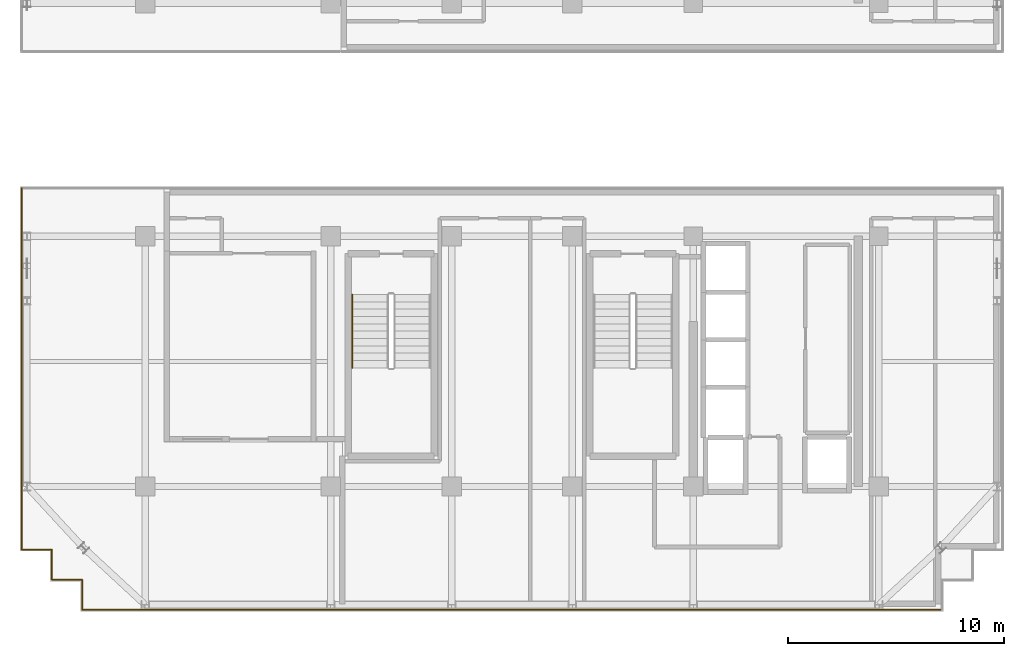
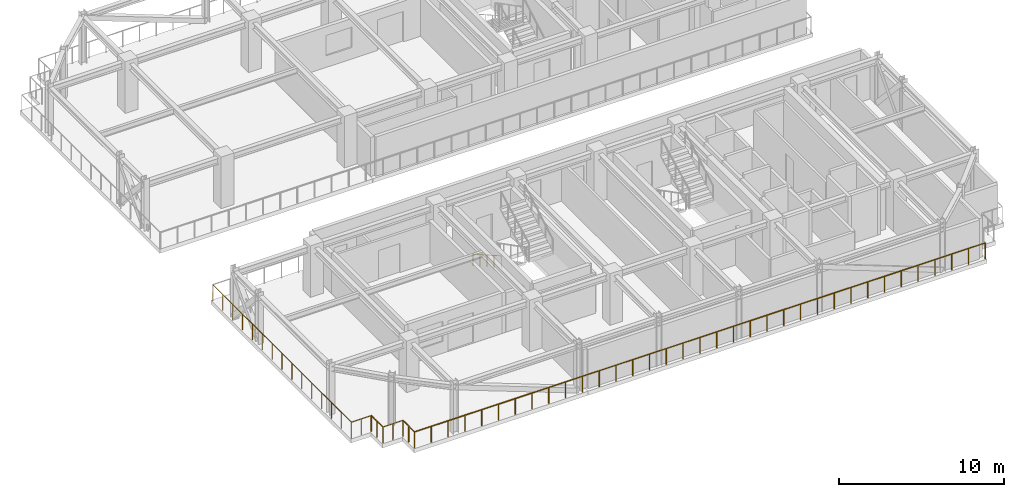
# One storey, part 9 of 14: 7 railings.
"""IFC4 building model written with IfcOpenShell, lengths in metres."""

from ifc_helpers import new_model, si_unit, direction, frame, origin, origin_2d, place, context, subcontext, project, spatial, circle, extrude, material, type_object, element, save


model = new_model("IFC4")

# Units and contexts
model_context = context("Model", 3, precision=1e-05, world=origin(), true_north=direction((0.0, 1.0)))
body_context = subcontext(model_context, "Body", "Model", "MODEL_VIEW")
ifc_project = project(units=[si_unit("LENGTHUNIT", "METRE"), si_unit("AREAUNIT", "SQUARE_METRE"), si_unit("VOLUMEUNIT", "CUBIC_METRE"), si_unit("PLANEANGLEUNIT", "RADIAN"), si_unit("MASSUNIT", "GRAM", prefix="KILO")], contexts=[model_context])

# Site, building, storey
site_placement = place(None, origin())
site = spatial("IfcSite", under=ifc_project, at=site_placement, CompositionType="ELEMENT")
building_placement = place(site_placement, origin())
building = spatial("IfcBuilding", under=site, at=building_placement, Name="Nahalor Promenade Grand Hotel", CompositionType="ELEMENT")
storey_placement = place(building_placement, frame((0.0, 0.0, 296.5)))
storey = spatial("IfcBuildingStorey", under=building, at=storey_placement, Name="L76", CompositionType="ELEMENT", Elevation=296.5)

# Railings
ifc_material_1 = material(Name="Anodised Bronze Aluminium EN AW-6063 T6", Category="aluminium")
railing_type_1 = type_object("IfcRailingType", Name="Bronze Balcony Guardrail 1200 mm", PredefinedType="GUARDRAIL", material=ifc_material_1)
railing_1_placement = place(storey_placement, frame((-19.919921875, -22.719970703125, 0.0)))
element("IfcRailing", 1, at=railing_1_placement, inside=storey, type_object=railing_type_1, Name="L76 Edge Guardrail RL-L76-WP-S-1", PredefinedType="GUARDRAIL", context=body_context, shape_type="SweptSolid", body=[
    extrude(circle(Radius=0.024048, at=origin_2d()), frame((0.0, 0.0, 1.17578125), z_axis=(1.0, 0.0, 0.0), x_axis=(0.0, 1.0, 0.0)), (0.0, 0.0, 1.0), 39.83984375),
    extrude(circle(Radius=0.020996, at=origin_2d()), origin(), (0.0, 0.0, 1.0), 1.14990234375),
    extrude(circle(Radius=0.020996, at=origin_2d()), frame((1.171875, 0.0, 0.0)), (0.0, 0.0, 1.0), 1.14990234375),
    extrude(circle(Radius=0.020996, at=origin_2d()), frame((2.343505859375, 0.0, 0.0)), (0.0, 0.0, 1.0), 1.14990234375),
    extrude(circle(Radius=0.020996, at=origin_2d()), frame((3.515380859375, 0.0, 0.0)), (0.0, 0.0, 1.0), 1.14990234375),
    extrude(circle(Radius=0.020996, at=origin_2d()), frame((4.68701171875, 0.0, 0.0)), (0.0, 0.0, 1.0), 1.14990234375),
    extrude(circle(Radius=0.020996, at=origin_2d()), frame((5.85888671875, 0.0, 0.0)), (0.0, 0.0, 1.0), 1.14990234375),
    extrude(circle(Radius=0.020996, at=origin_2d()), frame((7.030517578125, 0.0, 0.0)), (0.0, 0.0, 1.0), 1.14990234375),
    extrude(circle(Radius=0.020996, at=origin_2d()), frame((8.202392578125, 0.0, 0.0)), (0.0, 0.0, 1.0), 1.14990234375),
    extrude(circle(Radius=0.020996, at=origin_2d()), frame((9.3740234375, 0.0, 0.0)), (0.0, 0.0, 1.0), 1.14990234375),
    extrude(circle(Radius=0.020996, at=origin_2d()), frame((10.5458984375, 0.0, 0.0)), (0.0, 0.0, 1.0), 1.14990234375),
    extrude(circle(Radius=0.020996, at=origin_2d()), frame((11.717529296875, 0.0, 0.0)), (0.0, 0.0, 1.0), 1.14990234375),
    extrude(circle(Radius=0.020996, at=origin_2d()), frame((12.889404296875, 0.0, 0.0)), (0.0, 0.0, 1.0), 1.14990234375),
    extrude(circle(Radius=0.020996, at=origin_2d()), frame((14.06103515625, 0.0, 0.0)), (0.0, 0.0, 1.0), 1.14990234375),
    extrude(circle(Radius=0.020996, at=origin_2d()), frame((15.23291015625, 0.0, 0.0)), (0.0, 0.0, 1.0), 1.14990234375),
    extrude(circle(Radius=0.020996, at=origin_2d()), frame((16.404541015625, 0.0, 0.0)), (0.0, 0.0, 1.0), 1.14990234375),
    extrude(circle(Radius=0.020996, at=origin_2d()), frame((17.576416015625, 0.0, 0.0)), (0.0, 0.0, 1.0), 1.14990234375),
    extrude(circle(Radius=0.020996, at=origin_2d()), frame((18.748046875, 0.0, 0.0)), (0.0, 0.0, 1.0), 1.14990234375),
    extrude(circle(Radius=0.020996, at=origin_2d()), frame((19.919921875, 0.0, 0.0)), (0.0, 0.0, 1.0), 1.14990234375),
    extrude(circle(Radius=0.020996, at=origin_2d()), frame((21.091796875, 0.0, 0.0)), (0.0, 0.0, 1.0), 1.14990234375),
    extrude(circle(Radius=0.020996, at=origin_2d()), frame((22.263427734375, 0.0, 0.0)), (0.0, 0.0, 1.0), 1.14990234375),
    extrude(circle(Radius=0.020996, at=origin_2d()), frame((23.435302734375, 0.0, 0.0)), (0.0, 0.0, 1.0), 1.14990234375),
    extrude(circle(Radius=0.020996, at=origin_2d()), frame((24.60693359375, 0.0, 0.0)), (0.0, 0.0, 1.0), 1.14990234375),
    extrude(circle(Radius=0.020996, at=origin_2d()), frame((25.77880859375, 0.0, 0.0)), (0.0, 0.0, 1.0), 1.14990234375),
    extrude(circle(Radius=0.020996, at=origin_2d()), frame((26.950439453125, 0.0, 0.0)), (0.0, 0.0, 1.0), 1.14990234375),
    extrude(circle(Radius=0.020996, at=origin_2d()), frame((28.122314453125, 0.0, 0.0)), (0.0, 0.0, 1.0), 1.14990234375),
    extrude(circle(Radius=0.020996, at=origin_2d()), frame((29.2939453125, 0.0, 0.0)), (0.0, 0.0, 1.0), 1.14990234375),
    extrude(circle(Radius=0.020996, at=origin_2d()), frame((30.4658203125, 0.0, 0.0)), (0.0, 0.0, 1.0), 1.14990234375),
    extrude(circle(Radius=0.020996, at=origin_2d()), frame((31.637451171875, 0.0, 0.0)), (0.0, 0.0, 1.0), 1.14990234375),
    extrude(circle(Radius=0.020996, at=origin_2d()), frame((32.809326171875, 0.0, 0.0)), (0.0, 0.0, 1.0), 1.14990234375),
    extrude(circle(Radius=0.020996, at=origin_2d()), frame((33.98095703125, 0.0, 0.0)), (0.0, 0.0, 1.0), 1.14990234375),
    extrude(circle(Radius=0.020996, at=origin_2d()), frame((35.15283203125, 0.0, 0.0)), (0.0, 0.0, 1.0), 1.14990234375),
    extrude(circle(Radius=0.020996, at=origin_2d()), frame((36.324462890625, 0.0, 0.0)), (0.0, 0.0, 1.0), 1.14990234375),
    extrude(circle(Radius=0.020996, at=origin_2d()), frame((37.496337890625, 0.0, 0.0)), (0.0, 0.0, 1.0), 1.14990234375),
    extrude(circle(Radius=0.020996, at=origin_2d()), frame((38.66796875, 0.0, 0.0)), (0.0, 0.0, 1.0), 1.14990234375),
    extrude(circle(Radius=0.020996, at=origin_2d()), frame((39.83984375, 0.0, 0.0)), (0.0, 0.0, 1.0), 1.14990234375),
])
railing_2_placement = place(storey_placement, frame((-22.719970703125, -3.179931640625, 0.0)))
element("IfcRailing", 2, at=railing_2_placement, inside=storey, type_object=railing_type_1, Name="L76 Edge Guardrail RL-L76-WP-S-8", PredefinedType="GUARDRAIL", context=body_context, shape_type="SweptSolid", body=[
    extrude(circle(Radius=0.024048, at=origin_2d()), frame((0.0, 0.0, 1.17578125), z_axis=(0.0, -1.0, 0.0), x_axis=(1.0, 0.0, 0.0)), (0.0, 0.0, 1.0), 16.739990234375),
    extrude(circle(Radius=0.020996, at=origin_2d()), origin(), (0.0, 0.0, 1.0), 1.14990234375),
    extrude(circle(Radius=0.020996, at=origin_2d()), frame((0.0, -1.19580078125, 0.0)), (0.0, 0.0, 1.0), 1.14990234375),
    extrude(circle(Radius=0.020996, at=origin_2d()), frame((0.0, -2.391357421875, 0.0)), (0.0, 0.0, 1.0), 1.14990234375),
    extrude(circle(Radius=0.020996, at=origin_2d()), frame((0.0, -3.587158203125, 0.0)), (0.0, 0.0, 1.0), 1.14990234375),
    extrude(circle(Radius=0.020996, at=origin_2d()), frame((0.0, -4.782958984375, 0.0)), (0.0, 0.0, 1.0), 1.14990234375),
    extrude(circle(Radius=0.020996, at=origin_2d()), frame((0.0, -5.978515625, 0.0)), (0.0, 0.0, 1.0), 1.14990234375),
    extrude(circle(Radius=0.020996, at=origin_2d()), frame((0.0, -7.17431640625, 0.0)), (0.0, 0.0, 1.0), 1.14990234375),
    extrude(circle(Radius=0.020996, at=origin_2d()), frame((0.0, -8.3701171875, 0.0)), (0.0, 0.0, 1.0), 1.14990234375),
    extrude(circle(Radius=0.020996, at=origin_2d()), frame((0.0, -9.565673828125, 0.0)), (0.0, 0.0, 1.0), 1.14990234375),
    extrude(circle(Radius=0.020996, at=origin_2d()), frame((0.0, -10.761474609375, 0.0)), (0.0, 0.0, 1.0), 1.14990234375),
    extrude(circle(Radius=0.020996, at=origin_2d()), frame((0.0, -11.95703125, 0.0)), (0.0, 0.0, 1.0), 1.14990234375),
    extrude(circle(Radius=0.020996, at=origin_2d()), frame((0.0, -13.15283203125, 0.0)), (0.0, 0.0, 1.0), 1.14990234375),
    extrude(circle(Radius=0.020996, at=origin_2d()), frame((0.0, -14.3486328125, 0.0)), (0.0, 0.0, 1.0), 1.14990234375),
    extrude(circle(Radius=0.020996, at=origin_2d()), frame((0.0, -15.544189453125, 0.0)), (0.0, 0.0, 1.0), 1.14990234375),
    extrude(circle(Radius=0.020996, at=origin_2d()), frame((0.0, -16.739990234375, 0.0)), (0.0, 0.0, 1.0), 1.14990234375),
])
railing_3_placement = place(storey_placement, frame((-22.719970703125, -19.919921875, 0.0)))
element("IfcRailing", 3, at=railing_3_placement, inside=storey, type_object=railing_type_1, Name="L76 Edge Guardrail RL-L76-WP-S-9", PredefinedType="GUARDRAIL", context=body_context, shape_type="SweptSolid", body=[
    extrude(circle(Radius=0.024048, at=origin_2d()), frame((0.0, 0.0, 1.17578125), z_axis=(1.0, 0.0, 0.0), x_axis=(0.0, 1.0, 0.0)), (0.0, 0.0, 1.0), 1.39990234375),
    extrude(circle(Radius=0.020996, at=origin_2d()), origin(), (0.0, 0.0, 1.0), 1.14990234375),
    extrude(circle(Radius=0.020996, at=origin_2d()), frame((0.699951171875, 0.0, 0.0)), (0.0, 0.0, 1.0), 1.14990234375),
    extrude(circle(Radius=0.020996, at=origin_2d()), frame((1.39990234375, 0.0, 0.0)), (0.0, 0.0, 1.0), 1.14990234375),
])
railing_4_placement = place(storey_placement, frame((-21.320068359375, -19.919921875, 0.0)))
element("IfcRailing", 4, at=railing_4_placement, inside=storey, type_object=railing_type_1, Name="L76 Edge Guardrail RL-L76-WP-S-10", PredefinedType="GUARDRAIL", context=body_context, shape_type="SweptSolid", body=[
    extrude(circle(Radius=0.024048, at=origin_2d()), frame((0.0, 0.0, 1.17578125), z_axis=(0.0, -1.0, 0.0), x_axis=(1.0, 0.0, 0.0)), (0.0, 0.0, 1.0), 1.400146484375),
    extrude(circle(Radius=0.020996, at=origin_2d()), origin(), (0.0, 0.0, 1.0), 1.14990234375),
    extrude(circle(Radius=0.020996, at=origin_2d()), frame((0.0, -0.7001953125, 0.0)), (0.0, 0.0, 1.0), 1.14990234375),
    extrude(circle(Radius=0.020996, at=origin_2d()), frame((0.0, -1.400146484375, 0.0)), (0.0, 0.0, 1.0), 1.14990234375),
])
railing_5_placement = place(storey_placement, frame((-21.320068359375, -21.320068359375, 0.0)))
element("IfcRailing", 5, at=railing_5_placement, inside=storey, type_object=railing_type_1, Name="L76 Edge Guardrail RL-L76-WP-S-11", PredefinedType="GUARDRAIL", context=body_context, shape_type="SweptSolid", body=[
    extrude(circle(Radius=0.024048, at=origin_2d()), frame((0.0, 0.0, 1.17578125), z_axis=(1.0, 0.0, 0.0), x_axis=(0.0, 1.0, 0.0)), (0.0, 0.0, 1.0), 1.400146484375),
    extrude(circle(Radius=0.020996, at=origin_2d()), origin(), (0.0, 0.0, 1.0), 1.14990234375),
    extrude(circle(Radius=0.020996, at=origin_2d()), frame((0.7001953125, 0.0, 0.0)), (0.0, 0.0, 1.0), 1.14990234375),
    extrude(circle(Radius=0.020996, at=origin_2d()), frame((1.400146484375, 0.0, 0.0)), (0.0, 0.0, 1.0), 1.14990234375),
])
railing_6_placement = place(storey_placement, frame((-19.919921875, -21.320068359375, 0.0)))
element("IfcRailing", 6, at=railing_6_placement, inside=storey, type_object=railing_type_1, Name="L76 Edge Guardrail RL-L76-WP-S-12", PredefinedType="GUARDRAIL", context=body_context, shape_type="SweptSolid", body=[
    extrude(circle(Radius=0.024048, at=origin_2d()), frame((0.0, 0.0, 1.17578125), z_axis=(0.0, -1.0, 0.0), x_axis=(1.0, 0.0, 0.0)), (0.0, 0.0, 1.0), 1.39990234375),
    extrude(circle(Radius=0.020996, at=origin_2d()), origin(), (0.0, 0.0, 1.0), 1.14990234375),
    extrude(circle(Radius=0.020996, at=origin_2d()), frame((0.0, -0.699951171875, 0.0)), (0.0, 0.0, 1.0), 1.14990234375),
    extrude(circle(Radius=0.020996, at=origin_2d()), frame((0.0, -1.39990234375, 0.0)), (0.0, 0.0, 1.0), 1.14990234375),
])
ifc_material_2 = material(Name="Steel S355JR", Category="steel")
railing_type_2 = type_object("IfcRailingType", Name="Steel Stair Handrail 900 mm", PredefinedType="HANDRAIL", material=ifc_material_2)
railing_7_placement = place(storey_placement, frame((-7.39990234375, -8.10009765625, 0.175048828125)))
element("IfcRailing", 7, at=railing_7_placement, inside=storey, type_object=railing_type_2, Name="L76 ST3 stair handrail 1", PredefinedType="HANDRAIL", context=body_context, shape_type="SweptSolid", body=[
    extrude(circle(Radius=0.024048, at=origin_2d()), frame((0.0, 0.0, 0.8759765625), z_axis=(0.0, -0.870193670192, 0.492709829776), x_axis=(1.0, 0.0, 0.0)), (0.0, 0.0, 1.0), 3.906982421875),
    extrude(circle(Radius=0.020996, at=origin_2d()), origin(), (0.0, 0.0, 1.0), 0.849853515625),
    extrude(circle(Radius=0.020996, at=origin_2d()), frame((0.0, -0.85009765625, 0.481201171875)), (0.0, 0.0, 1.0), 0.849853515625),
    extrude(circle(Radius=0.020996, at=origin_2d()), frame((0.0, -1.699951171875, 0.96240234375)), (0.0, 0.0, 1.0), 0.849853515625),
    extrude(circle(Radius=0.020996, at=origin_2d()), frame((0.0, -2.5498046875, 1.44384765625)), (0.0, 0.0, 1.0), 0.849853515625),
    extrude(circle(Radius=0.020996, at=origin_2d()), frame((0.0, -3.39990234375, 1.925048828125)), (0.0, 0.0, 1.0), 0.849853515625),
])

save(model, "model.ifc")
